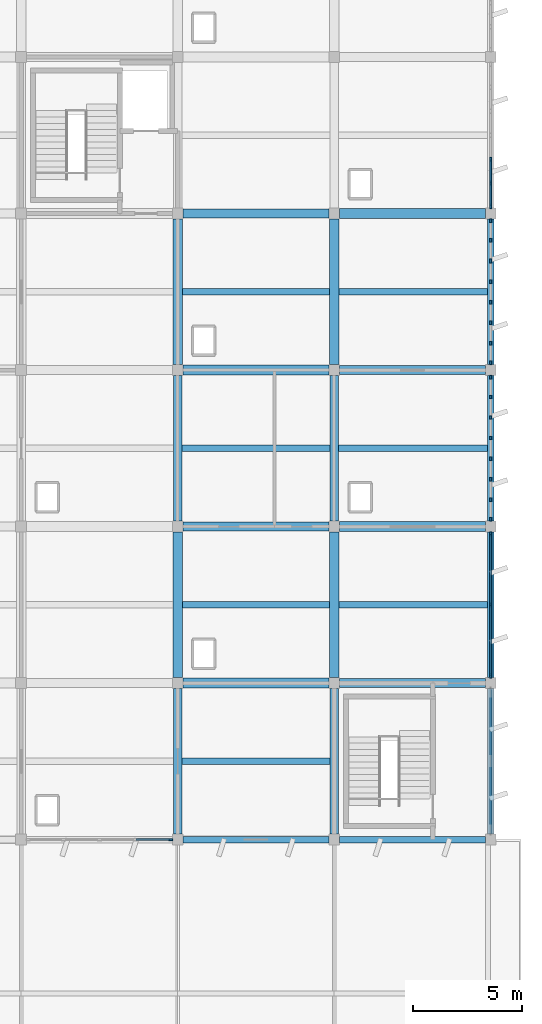
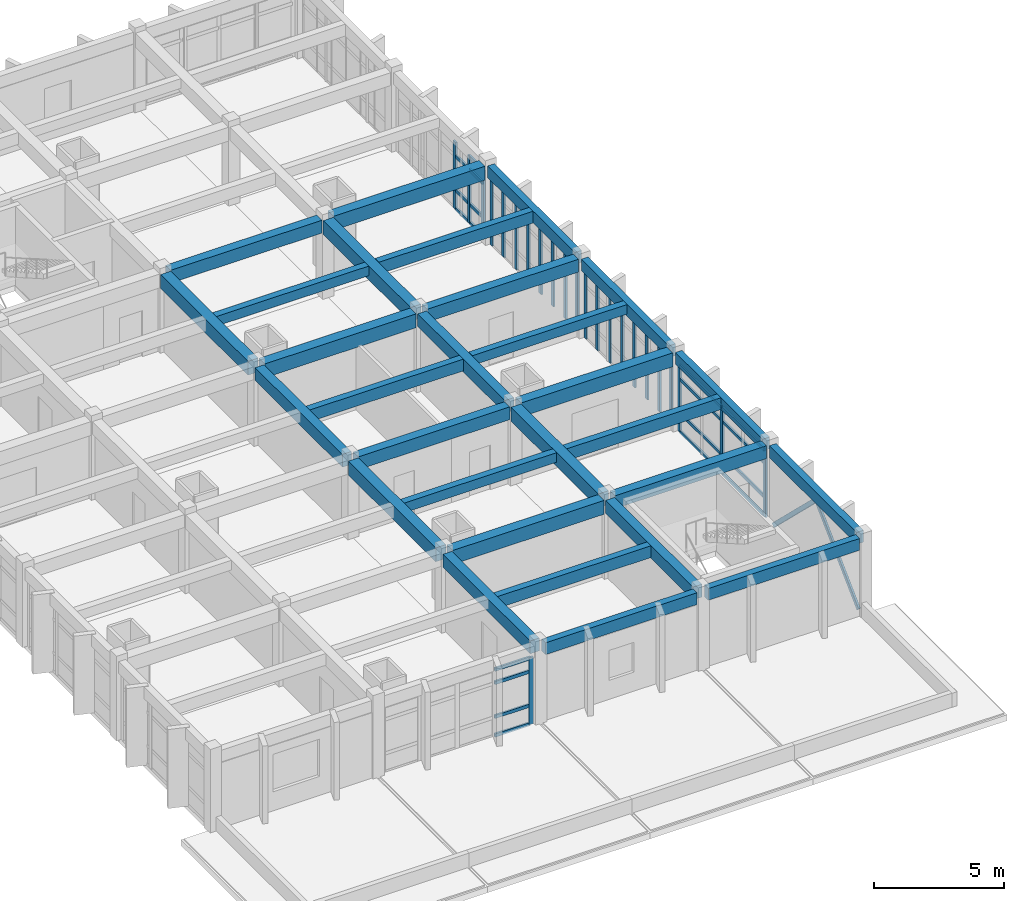
# One storey, part 18 of 40: 44 members, 29 beams, 5 elements without a shape of their own.
"""IFC4 building model written with IfcOpenShell, lengths in metres."""

from ifc_helpers import new_model, si_unit, direction, frame, origin, origin_2d, place, context, subcontext, project, spatial, rectangle, hollow_rectangle, extrude, material, layer, layer_set, material_profile, profile_set, type_object, element, aggregate, save


model = new_model("IFC4")

# Units and contexts
model_context = context("Model", 3, precision=1e-05, world=origin(), true_north=direction((0.0, 1.0)))
body_context = subcontext(model_context, "Body", "Model", "MODEL_VIEW")
ifc_project = project(units=[si_unit("LENGTHUNIT", "METRE"), si_unit("AREAUNIT", "SQUARE_METRE"), si_unit("VOLUMEUNIT", "CUBIC_METRE"), si_unit("PLANEANGLEUNIT", "RADIAN"), si_unit("MASSUNIT", "GRAM", prefix="KILO")], contexts=[model_context])

# Site, building, storey
site_placement = place(None, origin())
site = spatial("IfcSite", under=ifc_project, at=site_placement, CompositionType="ELEMENT")
building_placement = place(site_placement, origin())
building = spatial("IfcBuilding", under=site, at=building_placement, Name="Kavelor Marine Aquarium", CompositionType="ELEMENT")
storey_placement = place(building_placement, frame((0.0, 0.0, 17.639892578125)))
storey = spatial("IfcBuildingStorey", under=building, at=storey_placement, Name="L04", CompositionType="ELEMENT", Elevation=17.639892578125)

# Beams
ifc_material_1 = material(Name="Concrete C40/50", Category="concrete")
ifc_material_profile_1 = material_profile(ifc_material_1, rectangle(XDim=0.449951171875, YDim=0.64990234375, at=origin_2d()), Name="RC-BM 450x650")
ifc_profile_set_1 = profile_set([ifc_material_profile_1], Name="Concrete C40/50")
beam_type_1 = type_object("IfcBeamType", Name="BM-B3", PredefinedType="BEAM", material=ifc_profile_set_1)
for number, where, z_axis, x_axis, name in (
    (1, (133.050048828125, 74.800048828125, 3.355224609375), (1.0, 0.0, 0.0), (0.0, 1.0, 0.0), "bm:x:L04:L05:18_10"),
    (2, (133.050048828125, 89.199951171875, 3.355224609375), (1.0, 0.0, 0.0), (0.0, 1.0, 0.0), "bm:x:L04:L05:18_12"),
    (3, (140.25, 82.0, 3.375), (1.0, 0.0, 0.0), (0.0, 1.0, 0.0), "bm:x:L04:L05:19_11"),
    (4, (140.25, 96.39990234375, 3.375), (1.0, 0.0, 0.0), (0.0, 1.0, 0.0), "bm:x:L04:L05:19_13"),
    (5, (132.800048828125, 75.050048828125, 3.355224609375), (0.0, 1.0, 0.0), (-1.0, 0.0, 0.0), "bm:y:L04:L05:18_10"),
    (6, (132.800048828125, 89.449951171875, 3.355224609375), (0.0, 1.0, 0.0), (-1.0, 0.0, 0.0), "bm:y:L04:L05:18_12"),
    (7, (140.0, 75.050048828125, 3.355224609375), (0.0, 1.0, 0.0), (-1.0, 0.0, 0.0), "bm:y:L04:L05:19_10"),
    (8, (140.0, 89.449951171875, 3.355224609375), (0.0, 1.0, 0.0), (-1.0, 0.0, 0.0), "bm:y:L04:L05:19_12"),
):
    element("IfcBeam", number, at=place(storey_placement, frame(where, z_axis=z_axis, x_axis=x_axis)), inside=storey, type_object=beam_type_1, Name=name, PredefinedType="BEAM", context=body_context, shape_type="SweptSolid", body=[
        extrude(rectangle(XDim=0.449951171875, YDim=0.64990234375, at=origin_2d()), origin(), (0.0, 0.0, 1.0), 6.699951171875),
    ])
ifc_material_2 = material(Name="Concrete C40/50", Category="concrete")
ifc_material_profile_2 = material_profile(ifc_material_2, rectangle(XDim=0.39990234375, YDim=0.60009765625, at=origin_2d()), Name="RC-BM 400x600")
ifc_profile_set_2 = profile_set([ifc_material_profile_2], Name="Concrete C40/50")
beam_type_2 = type_object("IfcBeamType", Name="BM-B4", PredefinedType="BEAM", material=ifc_profile_set_2)
for number, where, z_axis, x_axis, name in (
    (9, (133.050048828125, 82.0, 3.380126953125), (1.0, 0.0, 0.0), (0.0, 1.0, 0.0), "bm:x:L04:L05:18_11"),
    (10, (133.050048828125, 96.39990234375, 3.380126953125), (1.0, 0.0, 0.0), (0.0, 1.0, 0.0), "bm:x:L04:L05:18_13"),
    (11, (140.25, 74.800048828125, 3.400146484375), (1.0, 0.0, 0.0), (0.0, 1.0, 0.0), "bm:x:L04:L05:19_10"),
    (12, (140.25, 89.199951171875, 3.400146484375), (1.0, 0.0, 0.0), (0.0, 1.0, 0.0), "bm:x:L04:L05:19_12"),
    (13, (132.800048828125, 67.85009765625, 3.380126953125), (0.0, 1.0, 0.0), (-1.0, 0.0, 0.0), "bm:y:L04:L05:18_09"),
    (14, (132.800048828125, 82.25, 3.380126953125), (0.0, 1.0, 0.0), (-1.0, 0.0, 0.0), "bm:y:L04:L05:18_11"),
    (15, (140.0, 67.85009765625, 3.380126953125), (0.0, 1.0, 0.0), (-1.0, 0.0, 0.0), "bm:y:L04:L05:19_09"),
    (16, (140.0, 82.25, 3.380126953125), (0.0, 1.0, 0.0), (-1.0, 0.0, 0.0), "bm:y:L04:L05:19_11"),
):
    element("IfcBeam", number, at=place(storey_placement, frame(where, z_axis=z_axis, x_axis=x_axis)), inside=storey, type_object=beam_type_2, Name=name, PredefinedType="BEAM", context=body_context, shape_type="SweptSolid", body=[
        extrude(rectangle(XDim=0.39990234375, YDim=0.60009765625, at=origin_2d()), origin(), (0.0, 0.0, 1.0), 6.699951171875),
    ])
ifc_material_3 = material(Name="Concrete C40/50", Category="concrete")
ifc_material_profile_3 = material_profile(ifc_material_3, rectangle(XDim=0.300048828125, YDim=0.449951171875, at=origin_2d()), Name="RC-JS 300x450")
ifc_profile_set_3 = profile_set([ifc_material_profile_3], Name="Concrete C40/50")
beam_type_3 = type_object("IfcBeamType", Name="BM-JS1", PredefinedType="JOIST", material=ifc_profile_set_3)
for number, where, z_axis, x_axis, name in (
    (17, (133.02490234375, 78.39990234375, 3.455078125), (1.0, 0.0, 0.0), (0.0, 1.0, 0.0), "js:L04:L05:18_10"),
    (18, (133.02490234375, 92.800048828125, 3.455078125), (1.0, 0.0, 0.0), (0.0, 1.0, 0.0), "js:L04:L05:18_12"),
):
    element("IfcBeam", number, at=place(storey_placement, frame(where, z_axis=z_axis, x_axis=x_axis)), inside=storey, type_object=beam_type_3, Name=name, PredefinedType="JOIST", context=body_context, shape_type="SweptSolid", body=[
        extrude(rectangle(XDim=0.300048828125, YDim=0.449951171875, at=origin_2d()), origin(), (0.0, 0.0, 1.0), 6.75),
    ])
beam_placement = place(storey_placement, frame((140.199951171875, 85.60009765625, 3.47509765625), z_axis=(1.0, 0.0, 0.0), x_axis=(0.0, 1.0, 0.0)))
element("IfcBeam", 19, at=beam_placement, inside=storey, type_object=beam_type_3, Name="js:L04:L05:19_11", PredefinedType="JOIST", context=body_context, shape_type="SweptSolid", body=[
    extrude(rectangle(XDim=0.300048828125, YDim=0.449951171875, at=origin_2d()), origin(), (0.0, 0.0, 1.0), 6.85009765625),
])
ifc_material_4 = material(Name="Concrete C40/50", Category="concrete")
ifc_material_profile_4 = material_profile(ifc_material_4, rectangle(XDim=0.300048828125, YDim=0.550048828125, at=origin_2d()), Name="RC-JS 300x550")
ifc_profile_set_4 = profile_set([ifc_material_profile_4], Name="Concrete C40/50")
beam_type_4 = type_object("IfcBeamType", Name="BM-JS2", PredefinedType="JOIST", material=ifc_profile_set_4)
for number, where, z_axis, x_axis, name in (
    (20, (133.0, 71.199951171875, 3.405029296875), (1.0, 0.0, 0.0), (0.0, 1.0, 0.0), "js:L04:L05:18_09"),
    (21, (133.0, 85.60009765625, 3.405029296875), (1.0, 0.0, 0.0), (0.0, 1.0, 0.0), "js:L04:L05:18_11"),
):
    element("IfcBeam", number, at=place(storey_placement, frame(where, z_axis=z_axis, x_axis=x_axis)), inside=storey, type_object=beam_type_4, Name=name, PredefinedType="JOIST", context=body_context, shape_type="SweptSolid", body=[
        extrude(rectangle(XDim=0.300048828125, YDim=0.550048828125, at=origin_2d()), origin(), (0.0, 0.0, 1.0), 6.800048828125),
    ])
for number, where, z_axis, x_axis, name in (
    (22, (140.22509765625, 78.39990234375, 3.425048828125), (1.0, 0.0, 0.0), (0.0, 1.0, 0.0), "js:L04:L05:19_10"),
    (23, (140.22509765625, 92.800048828125, 3.425048828125), (1.0, 0.0, 0.0), (0.0, 1.0, 0.0), "js:L04:L05:19_12"),
):
    element("IfcBeam", number, at=place(storey_placement, frame(where, z_axis=z_axis, x_axis=x_axis)), inside=storey, type_object=beam_type_4, Name=name, PredefinedType="JOIST", context=body_context, shape_type="SweptSolid", body=[
        extrude(rectangle(XDim=0.300048828125, YDim=0.550048828125, at=origin_2d()), origin(), (0.0, 0.0, 1.0), 6.824951171875),
    ])
ifc_material_5 = material(Name="Concrete C40/50", Category="concrete")
ifc_material_profile_5 = material_profile(ifc_material_5, rectangle(XDim=0.300048828125, YDim=0.550048828125, at=origin_2d()), Name="RC-SP 300x550")
ifc_profile_set_5 = profile_set([ifc_material_profile_5], Name="Concrete C40/50")
beam_type_5 = type_object("IfcBeamType", Name="BM-SP2", PredefinedType="SPANDREL", material=ifc_profile_set_5)
for number, where, z_axis, x_axis, name in (
    (24, (133.050048828125, 67.60009765625, 3.405029296875), (1.0, 0.0, 0.0), (0.0, 1.0, 0.0), "bm:x:L04:L05:18_09"),
    (25, (140.25, 67.60009765625, 3.425048828125), (1.0, 0.0, 0.0), (0.0, 1.0, 0.0), "bm:x:L04:L05:19_09"),
    (26, (147.199951171875, 67.85009765625, 3.425048828125), (0.0, 1.0, 0.0), (-1.0, 0.0, 0.0), "bm:y:L04:L05:20_09"),
    (27, (147.199951171875, 75.050048828125, 3.425048828125), (0.0, 1.0, 0.0), (-1.0, 0.0, 0.0), "bm:y:L04:L05:20_10"),
    (28, (147.199951171875, 82.25, 3.425048828125), (0.0, 1.0, 0.0), (-1.0, 0.0, 0.0), "bm:y:L04:L05:20_11"),
    (29, (147.199951171875, 89.449951171875, 3.425048828125), (0.0, 1.0, 0.0), (-1.0, 0.0, 0.0), "bm:y:L04:L05:20_12"),
):
    element("IfcBeam", number, at=place(storey_placement, frame(where, z_axis=z_axis, x_axis=x_axis)), inside=storey, type_object=beam_type_5, Name=name, PredefinedType="SPANDREL", context=body_context, shape_type="SweptSolid", body=[
        extrude(rectangle(XDim=0.300048828125, YDim=0.550048828125, at=origin_2d()), origin(), (0.0, 0.0, 1.0), 6.699951171875),
    ])

# Curtain wall, members
ifc_material_6 = material(Name="Thermally Broken Aluminium and Low-E Glass", Category="aluminium")
ifc_layer_1 = layer(ifc_material_6, 0.14794921875)
ifc_layer_set_1 = layer_set([ifc_layer_1], Name="CW-SYS1")
curtain_wall_type_1 = type_object("IfcCurtainWallType", Name="CW-SYS1", PredefinedType="USERDEFINED", material=ifc_layer_set_1)
curtain_wall_1_placement = place(storey_placement, origin())
curtain_wall_1 = element("IfcCurtainWall", 30, at=curtain_wall_1_placement, inside=storey, type_object=curtain_wall_type_1, Name="cw:y:L04:20_11", ObjectType="Curtain Wall", PredefinedType="USERDEFINED")
ifc_material_7 = material(Name="Anodised Aluminium Alloy 6063-T6", Category="aluminium")
ifc_material_profile_6 = material_profile(ifc_material_7, rectangle(XDim=0.074951171875, YDim=0.179931640625, at=origin_2d()), Name="CW-MUL 75x180")
ifc_profile_set_6 = profile_set([ifc_material_profile_6], Name="Anodised Aluminium Alloy 6063-T6")
member_type_1 = type_object("IfcMemberType", Name="CWM-1", PredefinedType="MULLION", material=ifc_profile_set_6)
member_1_placement = place(storey_placement, frame((147.199951171875, 82.33251953125, 0.0), z_axis=(0.0, 0.0, 1.0), x_axis=(-1.0, 0.0, 0.0)))
member_1 = element("IfcMember", 31, at=member_1_placement, type_object=member_type_1, Name="CW01 mullion 1", PredefinedType="MULLION", context=body_context, shape_type="SweptSolid", body=[
    extrude(rectangle(XDim=0.074951171875, YDim=0.179931640625, at=origin_2d()), origin(), (0.0, 0.0, 1.0), 3.14013671875),
])
member_2_placement = place(storey_placement, frame((147.199951171875, 83.2392578125, 0.0), z_axis=(0.0, 0.0, 1.0), x_axis=(-1.0, 0.0, 0.0)))
member_2 = element("IfcMember", 32, at=member_2_placement, type_object=member_type_1, Name="CW01 mullion 2", PredefinedType="MULLION", context=body_context, shape_type="SweptSolid", body=[
    extrude(rectangle(XDim=0.074951171875, YDim=0.179931640625, at=origin_2d()), origin(), (0.0, 0.0, 1.0), 3.14013671875),
])
member_3_placement = place(storey_placement, frame((147.199951171875, 84.18359375, 0.0), z_axis=(0.0, 0.0, 1.0), x_axis=(-1.0, 0.0, 0.0)))
member_3 = element("IfcMember", 33, at=member_3_placement, type_object=member_type_1, Name="CW01 mullion 3", PredefinedType="MULLION", context=body_context, shape_type="SweptSolid", body=[
    extrude(rectangle(XDim=0.074951171875, YDim=0.179931640625, at=origin_2d()), origin(), (0.0, 0.0, 1.0), 3.14013671875),
])
member_4_placement = place(storey_placement, frame((147.199951171875, 85.1279296875, 0.0), z_axis=(0.0, 0.0, 1.0), x_axis=(-1.0, 0.0, 0.0)))
member_4 = element("IfcMember", 34, at=member_4_placement, type_object=member_type_1, Name="CW01 mullion 4", PredefinedType="MULLION", context=body_context, shape_type="SweptSolid", body=[
    extrude(rectangle(XDim=0.074951171875, YDim=0.179931640625, at=origin_2d()), origin(), (0.0, 0.0, 1.0), 3.14013671875),
])
member_5_placement = place(storey_placement, frame((147.199951171875, 86.072021484375, 0.0), z_axis=(0.0, 0.0, 1.0), x_axis=(-1.0, 0.0, 0.0)))
member_5 = element("IfcMember", 35, at=member_5_placement, type_object=member_type_1, Name="CW01 mullion 5", PredefinedType="MULLION", context=body_context, shape_type="SweptSolid", body=[
    extrude(rectangle(XDim=0.074951171875, YDim=0.179931640625, at=origin_2d()), origin(), (0.0, 0.0, 1.0), 3.14013671875),
])
member_6_placement = place(storey_placement, frame((147.199951171875, 87.016357421875, 0.0), z_axis=(0.0, 0.0, 1.0), x_axis=(-1.0, 0.0, 0.0)))
member_6 = element("IfcMember", 36, at=member_6_placement, type_object=member_type_1, Name="CW01 mullion 6", PredefinedType="MULLION", context=body_context, shape_type="SweptSolid", body=[
    extrude(rectangle(XDim=0.074951171875, YDim=0.179931640625, at=origin_2d()), origin(), (0.0, 0.0, 1.0), 3.14013671875),
])
member_7_placement = place(storey_placement, frame((147.199951171875, 87.960693359375, 0.0), z_axis=(0.0, 0.0, 1.0), x_axis=(-1.0, 0.0, 0.0)))
member_7 = element("IfcMember", 37, at=member_7_placement, type_object=member_type_1, Name="CW01 mullion 7", PredefinedType="MULLION", context=body_context, shape_type="SweptSolid", body=[
    extrude(rectangle(XDim=0.074951171875, YDim=0.179931640625, at=origin_2d()), origin(), (0.0, 0.0, 1.0), 3.14013671875),
])
member_8_placement = place(storey_placement, frame((147.199951171875, 88.867431640625, 0.0), z_axis=(0.0, 0.0, 1.0), x_axis=(-1.0, 0.0, 0.0)))
member_8 = element("IfcMember", 38, at=member_8_placement, type_object=member_type_1, Name="CW01 mullion 8", PredefinedType="MULLION", context=body_context, shape_type="SweptSolid", body=[
    extrude(rectangle(XDim=0.074951171875, YDim=0.179931640625, at=origin_2d()), origin(), (0.0, 0.0, 1.0), 3.14013671875),
])
aggregate(curtain_wall_1, [member_1, member_2, member_3, member_4, member_5, member_6, member_7, member_8])

ifc_material_8 = material(Name="Thermally Broken Aluminium and Low-E Glass", Category="aluminium")
ifc_layer_2 = layer(ifc_material_8, 0.156005859375)
ifc_layer_set_2 = layer_set([ifc_layer_2], Name="CW-SYS2")
curtain_wall_type_2 = type_object("IfcCurtainWallType", Name="CW-SYS2", PredefinedType="USERDEFINED", material=ifc_layer_set_2)
curtain_wall_2_placement = place(storey_placement, origin())
curtain_wall_2 = element("IfcCurtainWall", 39, at=curtain_wall_2_placement, inside=storey, type_object=curtain_wall_type_2, Name="cw:y:L04:20_12", ObjectType="Curtain Wall", PredefinedType="USERDEFINED")
ifc_material_9 = material(Name="Anodised Aluminium Alloy 6063-T6", Category="aluminium")
ifc_material_profile_7 = material_profile(ifc_material_9, rectangle(XDim=0.080078125, YDim=0.18505859375, at=origin_2d()), Name="CW-MUL 80x185")
ifc_profile_set_7 = profile_set([ifc_material_profile_7], Name="Anodised Aluminium Alloy 6063-T6")
member_type_2 = type_object("IfcMemberType", Name="CWM-2", PredefinedType="MULLION", material=ifc_profile_set_7)
member_9_placement = place(storey_placement, frame((147.199951171875, 89.527587890625, 0.0), z_axis=(0.0, 0.0, 1.0), x_axis=(-1.0, 0.0, 0.0)))
member_9 = element("IfcMember", 40, at=member_9_placement, type_object=member_type_2, Name="CW02 mullion 1", PredefinedType="MULLION", context=body_context, shape_type="SweptSolid", body=[
    extrude(rectangle(XDim=0.080078125, YDim=0.18505859375, at=origin_2d()), origin(), (0.0, 0.0, 1.0), 3.14013671875),
])
member_10_placement = place(storey_placement, frame((147.199951171875, 90.439208984375, 0.0), z_axis=(0.0, 0.0, 1.0), x_axis=(-1.0, 0.0, 0.0)))
member_10 = element("IfcMember", 41, at=member_10_placement, type_object=member_type_2, Name="CW02 mullion 2", PredefinedType="MULLION", context=body_context, shape_type="SweptSolid", body=[
    extrude(rectangle(XDim=0.080078125, YDim=0.18505859375, at=origin_2d()), origin(), (0.0, 0.0, 1.0), 3.14013671875),
])
member_11_placement = place(storey_placement, frame((147.199951171875, 91.383544921875, 0.0), z_axis=(0.0, 0.0, 1.0), x_axis=(-1.0, 0.0, 0.0)))
member_11 = element("IfcMember", 42, at=member_11_placement, type_object=member_type_2, Name="CW02 mullion 3", PredefinedType="MULLION", context=body_context, shape_type="SweptSolid", body=[
    extrude(rectangle(XDim=0.080078125, YDim=0.18505859375, at=origin_2d()), origin(), (0.0, 0.0, 1.0), 3.14013671875),
])
member_12_placement = place(storey_placement, frame((147.199951171875, 92.327880859375, 0.0), z_axis=(0.0, 0.0, 1.0), x_axis=(-1.0, 0.0, 0.0)))
member_12 = element("IfcMember", 43, at=member_12_placement, type_object=member_type_2, Name="CW02 mullion 4", PredefinedType="MULLION", context=body_context, shape_type="SweptSolid", body=[
    extrude(rectangle(XDim=0.080078125, YDim=0.18505859375, at=origin_2d()), origin(), (0.0, 0.0, 1.0), 3.14013671875),
])
member_13_placement = place(storey_placement, frame((147.199951171875, 93.272216796875, 0.0), z_axis=(0.0, 0.0, 1.0), x_axis=(-1.0, 0.0, 0.0)))
member_13 = element("IfcMember", 44, at=member_13_placement, type_object=member_type_2, Name="CW02 mullion 5", PredefinedType="MULLION", context=body_context, shape_type="SweptSolid", body=[
    extrude(rectangle(XDim=0.080078125, YDim=0.18505859375, at=origin_2d()), origin(), (0.0, 0.0, 1.0), 3.14013671875),
])
member_14_placement = place(storey_placement, frame((147.199951171875, 94.21630859375, 0.0), z_axis=(0.0, 0.0, 1.0), x_axis=(-1.0, 0.0, 0.0)))
member_14 = element("IfcMember", 45, at=member_14_placement, type_object=member_type_2, Name="CW02 mullion 6", PredefinedType="MULLION", context=body_context, shape_type="SweptSolid", body=[
    extrude(rectangle(XDim=0.080078125, YDim=0.18505859375, at=origin_2d()), origin(), (0.0, 0.0, 1.0), 3.14013671875),
])
member_15_placement = place(storey_placement, frame((147.199951171875, 95.16064453125, 0.0), z_axis=(0.0, 0.0, 1.0), x_axis=(-1.0, 0.0, 0.0)))
member_15 = element("IfcMember", 46, at=member_15_placement, type_object=member_type_2, Name="CW02 mullion 7", PredefinedType="MULLION", context=body_context, shape_type="SweptSolid", body=[
    extrude(rectangle(XDim=0.080078125, YDim=0.18505859375, at=origin_2d()), origin(), (0.0, 0.0, 1.0), 3.14013671875),
])
member_16_placement = place(storey_placement, frame((147.199951171875, 96.072509765625, 0.0), z_axis=(0.0, 0.0, 1.0), x_axis=(-1.0, 0.0, 0.0)))
member_16 = element("IfcMember", 47, at=member_16_placement, type_object=member_type_2, Name="CW02 mullion 8", PredefinedType="MULLION", context=body_context, shape_type="SweptSolid", body=[
    extrude(rectangle(XDim=0.080078125, YDim=0.18505859375, at=origin_2d()), origin(), (0.0, 0.0, 1.0), 3.14013671875),
])
aggregate(curtain_wall_2, [member_9, member_10, member_11, member_12, member_13, member_14, member_15, member_16])

# Curtain wall, member
ifc_material_10 = material(Name="Thermally Broken Aluminium and Low-E Glass", Category="aluminium")
ifc_layer_3 = layer(ifc_material_10, 0.260009765625)
ifc_layer_set_3 = layer_set([ifc_layer_3], Name="CW-SYS15")
curtain_wall_type_3 = type_object("IfcCurtainWallType", Name="CW-SYS15", PredefinedType="USERDEFINED", material=ifc_layer_set_3)
curtain_wall_3_placement = place(storey_placement, origin())
curtain_wall_3 = element("IfcCurtainWall", 48, at=curtain_wall_3_placement, inside=storey, type_object=curtain_wall_type_3, Name="cw:x:L04:17_09", ObjectType="Curtain Wall", PredefinedType="USERDEFINED")
ifc_material_11 = material(Name="Anodised Aluminium Alloy 6063-T6", Category="aluminium")
ifc_material_profile_8 = material_profile(ifc_material_11, rectangle(XDim=0.0849609375, YDim=0.18994140625, at=origin_2d()), Name="CW-MUL 85x190")
ifc_profile_set_8 = profile_set([ifc_material_profile_8], Name="Anodised Aluminium Alloy 6063-T6")
member_type_3 = type_object("IfcMemberType", Name="CWM-3", PredefinedType="MULLION", material=ifc_profile_set_8)
member_17_placement = place(storey_placement, frame((132.47509765625, 67.60009765625, 0.0), z_axis=(0.0, 0.0, 1.0), x_axis=(0.0, -1.0, 0.0)))
member_17 = element("IfcMember", 49, at=member_17_placement, type_object=member_type_3, Name="CW15 mullion 1", PredefinedType="MULLION", context=body_context, shape_type="SweptSolid", body=[
    extrude(rectangle(XDim=0.0849609375, YDim=0.18994140625, at=origin_2d()), origin(), (0.0, 0.0, 1.0), 3.14013671875),
])

# Curtain wall, members
ifc_material_12 = material(Name="Thermally Broken Aluminium and Low-E Glass", Category="aluminium")
ifc_layer_4 = layer(ifc_material_12, 0.33203125)
ifc_layer_set_4 = layer_set([ifc_layer_4], Name="CW-SYS24")
curtain_wall_type_4 = type_object("IfcCurtainWallType", Name="CW-SYS24", PredefinedType="USERDEFINED", material=ifc_layer_set_4)
curtain_wall_4_placement = place(storey_placement, origin())
curtain_wall_4 = element("IfcCurtainWall", 50, at=curtain_wall_4_placement, inside=storey, type_object=curtain_wall_type_4, Name="cw:y:L04:20_10", ObjectType="Curtain Wall", PredefinedType="USERDEFINED")
member_18_placement = place(storey_placement, frame((147.199951171875, 75.125, 0.0), z_axis=(0.0, 0.0, 1.0), x_axis=(-1.0, 0.0, 0.0)))
member_18 = element("IfcMember", 51, at=member_18_placement, type_object=member_type_3, Name="CW24 mullion 1", PredefinedType="MULLION", context=body_context, shape_type="SweptSolid", body=[
    extrude(rectangle(XDim=0.0849609375, YDim=0.18994140625, at=origin_2d()), origin(), (0.0, 0.0, 1.0), 3.14013671875),
])
member_19_placement = place(storey_placement, frame((147.199951171875, 78.39990234375, 0.0), z_axis=(0.0, 0.0, 1.0), x_axis=(-1.0, 0.0, 0.0)))
member_19 = element("IfcMember", 52, at=member_19_placement, type_object=member_type_3, Name="CW24 mullion 2", PredefinedType="MULLION", context=body_context, shape_type="SweptSolid", body=[
    extrude(rectangle(XDim=0.0849609375, YDim=0.18994140625, at=origin_2d()), origin(), (0.0, 0.0, 1.0), 3.14013671875),
])
member_20_placement = place(storey_placement, frame((147.199951171875, 81.675048828125, 0.0), z_axis=(0.0, 0.0, 1.0), x_axis=(-1.0, 0.0, 0.0)))
member_20 = element("IfcMember", 53, at=member_20_placement, type_object=member_type_3, Name="CW24 mullion 3", PredefinedType="MULLION", context=body_context, shape_type="SweptSolid", body=[
    extrude(rectangle(XDim=0.0849609375, YDim=0.18994140625, at=origin_2d()), origin(), (0.0, 0.0, 1.0), 3.14013671875),
])

ifc_material_13 = material(Name="Thermally Broken Aluminium and Low-E Glass", Category="aluminium")
ifc_layer_5 = layer(ifc_material_13, 0.1640625)
ifc_layer_set_5 = layer_set([ifc_layer_5], Name="CW-SYS3")
curtain_wall_type_5 = type_object("IfcCurtainWallType", Name="CW-SYS3", PredefinedType="USERDEFINED", material=ifc_layer_set_5)
curtain_wall_5_placement = place(storey_placement, origin())
curtain_wall_5 = element("IfcCurtainWall", 54, at=curtain_wall_5_placement, inside=storey, type_object=curtain_wall_type_5, Name="cw:y:L04:20_13", ObjectType="Curtain Wall", PredefinedType="USERDEFINED")
member_21_placement = place(storey_placement, frame((147.199951171875, 96.72509765625, 0.0), z_axis=(0.0, 0.0, 1.0), x_axis=(-1.0, 0.0, 0.0)))
member_21 = element("IfcMember", 55, at=member_21_placement, type_object=member_type_3, Name="CW03 mullion 1", PredefinedType="MULLION", context=body_context, shape_type="SweptSolid", body=[
    extrude(rectangle(XDim=0.0849609375, YDim=0.18994140625, at=origin_2d()), origin(), (0.0, 0.0, 1.0), 3.14013671875),
])
member_22_placement = place(storey_placement, frame((147.199951171875, 97.796630859375, 0.0), z_axis=(0.0, 0.0, 1.0), x_axis=(-1.0, 0.0, 0.0)))
member_22 = element("IfcMember", 56, at=member_22_placement, type_object=member_type_3, Name="CW03 mullion 2", PredefinedType="MULLION", context=body_context, shape_type="SweptSolid", body=[
    extrude(rectangle(XDim=0.0849609375, YDim=0.18994140625, at=origin_2d()), origin(), (0.0, 0.0, 1.0), 3.14013671875),
])
member_23_placement = place(storey_placement, frame((147.199951171875, 98.8984375, 0.0), z_axis=(0.0, 0.0, 1.0), x_axis=(-1.0, 0.0, 0.0)))
member_23 = element("IfcMember", 57, at=member_23_placement, type_object=member_type_3, Name="CW03 mullion 3", PredefinedType="MULLION", context=body_context, shape_type="SweptSolid", body=[
    extrude(rectangle(XDim=0.0849609375, YDim=0.18994140625, at=origin_2d()), origin(), (0.0, 0.0, 1.0), 3.14013671875),
])

# Member
ifc_material_14 = material(Name="Anodised Aluminium Alloy 6063-T6", Category="aluminium")
ifc_material_profile_9 = material_profile(ifc_material_14, rectangle(XDim=0.074951171875, YDim=0.14990234375, at=origin_2d()), Name="CW-TRN 75x150")
ifc_profile_set_9 = profile_set([ifc_material_profile_9], Name="Anodised Aluminium Alloy 6063-T6")
member_type_4 = type_object("IfcMemberType", Name="CWT-1", PredefinedType="USERDEFINED", material=ifc_profile_set_9)
member_24_placement = place(storey_placement, frame((147.199951171875, 75.155029296875, 0.03759765625), z_axis=(0.0, 1.0, 0.0), x_axis=(-1.0, 0.0, 0.0)))
member_24 = element("IfcMember", 58, at=member_24_placement, type_object=member_type_4, Name="CW24 transom 1.1", ObjectType="TRANSOM", PredefinedType="USERDEFINED", context=body_context, shape_type="SweptSolid", body=[
    extrude(rectangle(XDim=0.074951171875, YDim=0.14990234375, at=origin_2d()), origin(), (0.0, 0.0, 1.0), 3.215087890625),
])

member_25_placement = place(storey_placement, frame((147.199951171875, 75.155029296875, 0.900146484375), z_axis=(0.0, 1.0, 0.0), x_axis=(-1.0, 0.0, 0.0)))
member_25 = element("IfcMember", 59, at=member_25_placement, type_object=member_type_4, Name="CW24 transom 1.2", ObjectType="TRANSOM", PredefinedType="USERDEFINED", context=body_context, shape_type="SweptSolid", body=[
    extrude(rectangle(XDim=0.074951171875, YDim=0.14990234375, at=origin_2d()), origin(), (0.0, 0.0, 1.0), 3.215087890625),
])

member_26_placement = place(storey_placement, frame((147.199951171875, 75.155029296875, 2.489990234375), z_axis=(0.0, 1.0, 0.0), x_axis=(-1.0, 0.0, 0.0)))
member_26 = element("IfcMember", 60, at=member_26_placement, type_object=member_type_4, Name="CW24 transom 1.3", ObjectType="TRANSOM", PredefinedType="USERDEFINED", context=body_context, shape_type="SweptSolid", body=[
    extrude(rectangle(XDim=0.074951171875, YDim=0.14990234375, at=origin_2d()), origin(), (0.0, 0.0, 1.0), 3.215087890625),
])

member_27_placement = place(storey_placement, frame((147.199951171875, 75.155029296875, 3.1025390625), z_axis=(0.0, 1.0, 0.0), x_axis=(-1.0, 0.0, 0.0)))
member_27 = element("IfcMember", 61, at=member_27_placement, type_object=member_type_4, Name="CW24 transom 1.4", ObjectType="TRANSOM", PredefinedType="USERDEFINED", context=body_context, shape_type="SweptSolid", body=[
    extrude(rectangle(XDim=0.074951171875, YDim=0.14990234375, at=origin_2d()), origin(), (0.0, 0.0, 1.0), 3.215087890625),
])

member_28_placement = place(storey_placement, frame((147.199951171875, 78.429931640625, 0.03759765625), z_axis=(0.0, 1.0, 0.0), x_axis=(-1.0, 0.0, 0.0)))
member_28 = element("IfcMember", 62, at=member_28_placement, type_object=member_type_4, Name="CW24 transom 2.1", ObjectType="TRANSOM", PredefinedType="USERDEFINED", context=body_context, shape_type="SweptSolid", body=[
    extrude(rectangle(XDim=0.074951171875, YDim=0.14990234375, at=origin_2d()), origin(), (0.0, 0.0, 1.0), 3.215087890625),
])

member_29_placement = place(storey_placement, frame((147.199951171875, 78.429931640625, 0.900146484375), z_axis=(0.0, 1.0, 0.0), x_axis=(-1.0, 0.0, 0.0)))
member_29 = element("IfcMember", 63, at=member_29_placement, type_object=member_type_4, Name="CW24 transom 2.2", ObjectType="TRANSOM", PredefinedType="USERDEFINED", context=body_context, shape_type="SweptSolid", body=[
    extrude(rectangle(XDim=0.074951171875, YDim=0.14990234375, at=origin_2d()), origin(), (0.0, 0.0, 1.0), 3.215087890625),
])

member_30_placement = place(storey_placement, frame((147.199951171875, 78.429931640625, 2.489990234375), z_axis=(0.0, 1.0, 0.0), x_axis=(-1.0, 0.0, 0.0)))
member_30 = element("IfcMember", 64, at=member_30_placement, type_object=member_type_4, Name="CW24 transom 2.3", ObjectType="TRANSOM", PredefinedType="USERDEFINED", context=body_context, shape_type="SweptSolid", body=[
    extrude(rectangle(XDim=0.074951171875, YDim=0.14990234375, at=origin_2d()), origin(), (0.0, 0.0, 1.0), 3.215087890625),
])

member_31_placement = place(storey_placement, frame((147.199951171875, 78.429931640625, 3.1025390625), z_axis=(0.0, 1.0, 0.0), x_axis=(-1.0, 0.0, 0.0)))
member_31 = element("IfcMember", 65, at=member_31_placement, type_object=member_type_4, Name="CW24 transom 2.4", ObjectType="TRANSOM", PredefinedType="USERDEFINED", context=body_context, shape_type="SweptSolid", body=[
    extrude(rectangle(XDim=0.074951171875, YDim=0.14990234375, at=origin_2d()), origin(), (0.0, 0.0, 1.0), 3.215087890625),
])

aggregate(curtain_wall_4, [member_18, member_19, member_20, member_24, member_25, member_26, member_27, member_28, member_29, member_30, member_31])

ifc_material_15 = material(Name="Anodised Aluminium Alloy 6063-T6", Category="aluminium")
ifc_material_profile_10 = material_profile(ifc_material_15, rectangle(XDim=0.080078125, YDim=0.155029296875, at=origin_2d()), Name="CW-TRN 80x155")
ifc_profile_set_10 = profile_set([ifc_material_profile_10], Name="Anodised Aluminium Alloy 6063-T6")
member_type_5 = type_object("IfcMemberType", Name="CWT-2", PredefinedType="USERDEFINED", material=ifc_profile_set_10)
member_32_placement = place(storey_placement, frame((132.445068359375, 67.60009765625, 0.03271484375), z_axis=(-1.0, 0.0, 0.0), x_axis=(0.0, -1.0, 0.0)))
member_32 = element("IfcMember", 66, at=member_32_placement, type_object=member_type_5, Name="CW15 transom 1.1", ObjectType="TRANSOM", PredefinedType="USERDEFINED", context=body_context, shape_type="SweptSolid", body=[
    extrude(rectangle(XDim=0.080078125, YDim=0.155029296875, at=origin_2d()), origin(), (0.0, 0.0, 1.0), 1.5625),
])

member_33_placement = place(storey_placement, frame((132.445068359375, 67.60009765625, 0.900146484375), z_axis=(-1.0, 0.0, 0.0), x_axis=(0.0, -1.0, 0.0)))
member_33 = element("IfcMember", 67, at=member_33_placement, type_object=member_type_5, Name="CW15 transom 1.2", ObjectType="TRANSOM", PredefinedType="USERDEFINED", context=body_context, shape_type="SweptSolid", body=[
    extrude(rectangle(XDim=0.080078125, YDim=0.155029296875, at=origin_2d()), origin(), (0.0, 0.0, 1.0), 1.5625),
])

member_34_placement = place(storey_placement, frame((132.445068359375, 67.60009765625, 2.489990234375), z_axis=(-1.0, 0.0, 0.0), x_axis=(0.0, -1.0, 0.0)))
member_34 = element("IfcMember", 68, at=member_34_placement, type_object=member_type_5, Name="CW15 transom 1.3", ObjectType="TRANSOM", PredefinedType="USERDEFINED", context=body_context, shape_type="SweptSolid", body=[
    extrude(rectangle(XDim=0.080078125, YDim=0.155029296875, at=origin_2d()), origin(), (0.0, 0.0, 1.0), 1.5625),
])

member_35_placement = place(storey_placement, frame((132.445068359375, 67.60009765625, 3.107666015625), z_axis=(-1.0, 0.0, 0.0), x_axis=(0.0, -1.0, 0.0)))
member_35 = element("IfcMember", 69, at=member_35_placement, type_object=member_type_5, Name="CW15 transom 1.4", ObjectType="TRANSOM", PredefinedType="USERDEFINED", context=body_context, shape_type="SweptSolid", body=[
    extrude(rectangle(XDim=0.080078125, YDim=0.155029296875, at=origin_2d()), origin(), (0.0, 0.0, 1.0), 1.5625),
])

aggregate(curtain_wall_3, [member_17, member_32, member_33, member_34, member_35])

member_36_placement = place(storey_placement, frame((147.199951171875, 96.7548828125, 0.03271484375), z_axis=(0.0, 1.0, 0.0), x_axis=(-1.0, 0.0, 0.0)))
member_36 = element("IfcMember", 70, at=member_36_placement, type_object=member_type_5, Name="CW03 transom 1.1", ObjectType="TRANSOM", PredefinedType="USERDEFINED", context=body_context, shape_type="SweptSolid", body=[
    extrude(rectangle(XDim=0.080078125, YDim=0.155029296875, at=origin_2d()), origin(), (0.0, 0.0, 1.0), 1.01171875),
])

member_37_placement = place(storey_placement, frame((147.199951171875, 96.7548828125, 0.900146484375), z_axis=(0.0, 1.0, 0.0), x_axis=(-1.0, 0.0, 0.0)))
member_37 = element("IfcMember", 71, at=member_37_placement, type_object=member_type_5, Name="CW03 transom 1.2", ObjectType="TRANSOM", PredefinedType="USERDEFINED", context=body_context, shape_type="SweptSolid", body=[
    extrude(rectangle(XDim=0.080078125, YDim=0.155029296875, at=origin_2d()), origin(), (0.0, 0.0, 1.0), 1.01171875),
])

member_38_placement = place(storey_placement, frame((147.199951171875, 96.7548828125, 2.489990234375), z_axis=(0.0, 1.0, 0.0), x_axis=(-1.0, 0.0, 0.0)))
member_38 = element("IfcMember", 72, at=member_38_placement, type_object=member_type_5, Name="CW03 transom 1.3", ObjectType="TRANSOM", PredefinedType="USERDEFINED", context=body_context, shape_type="SweptSolid", body=[
    extrude(rectangle(XDim=0.080078125, YDim=0.155029296875, at=origin_2d()), origin(), (0.0, 0.0, 1.0), 1.01171875),
])

member_39_placement = place(storey_placement, frame((147.199951171875, 96.7548828125, 3.107666015625), z_axis=(0.0, 1.0, 0.0), x_axis=(-1.0, 0.0, 0.0)))
member_39 = element("IfcMember", 73, at=member_39_placement, type_object=member_type_5, Name="CW03 transom 1.4", ObjectType="TRANSOM", PredefinedType="USERDEFINED", context=body_context, shape_type="SweptSolid", body=[
    extrude(rectangle(XDim=0.080078125, YDim=0.155029296875, at=origin_2d()), origin(), (0.0, 0.0, 1.0), 1.01171875),
])

member_40_placement = place(storey_placement, frame((147.199951171875, 97.82666015625, 0.03271484375), z_axis=(0.0, 1.0, 0.0), x_axis=(-1.0, 0.0, 0.0)))
member_40 = element("IfcMember", 74, at=member_40_placement, type_object=member_type_5, Name="CW03 transom 2.1", ObjectType="TRANSOM", PredefinedType="USERDEFINED", context=body_context, shape_type="SweptSolid", body=[
    extrude(rectangle(XDim=0.080078125, YDim=0.155029296875, at=origin_2d()), origin(), (0.0, 0.0, 1.0), 1.041748046875),
])

member_41_placement = place(storey_placement, frame((147.199951171875, 97.82666015625, 0.900146484375), z_axis=(0.0, 1.0, 0.0), x_axis=(-1.0, 0.0, 0.0)))
member_41 = element("IfcMember", 75, at=member_41_placement, type_object=member_type_5, Name="CW03 transom 2.2", ObjectType="TRANSOM", PredefinedType="USERDEFINED", context=body_context, shape_type="SweptSolid", body=[
    extrude(rectangle(XDim=0.080078125, YDim=0.155029296875, at=origin_2d()), origin(), (0.0, 0.0, 1.0), 1.041748046875),
])

member_42_placement = place(storey_placement, frame((147.199951171875, 97.82666015625, 2.489990234375), z_axis=(0.0, 1.0, 0.0), x_axis=(-1.0, 0.0, 0.0)))
member_42 = element("IfcMember", 76, at=member_42_placement, type_object=member_type_5, Name="CW03 transom 2.3", ObjectType="TRANSOM", PredefinedType="USERDEFINED", context=body_context, shape_type="SweptSolid", body=[
    extrude(rectangle(XDim=0.080078125, YDim=0.155029296875, at=origin_2d()), origin(), (0.0, 0.0, 1.0), 1.041748046875),
])

aggregate(curtain_wall_5, [member_21, member_22, member_23, member_36, member_37, member_38, member_39, member_40, member_41, member_42])

# Members
ifc_material_16 = material(Name="Steel S355", Category="steel")
ifc_material_profile_11 = material_profile(ifc_material_16, hollow_rectangle(XDim=0.10009765625, YDim=0.199951171875, WallThickness=0.00634765625, InnerFilletRadius=0.009521484375, OuterFilletRadius=0.015869140625, at=origin_2d()), Name="RHS 200x100x6.3")
ifc_profile_set_11 = profile_set([ifc_material_profile_11], Name="Steel S355")
member_type_6 = type_object("IfcMemberType", Name="ST-BR8", PredefinedType="BRACE", material=ifc_profile_set_11)
for number, where, z_axis, x_axis, name in (
    (77, (147.199951171875, 67.949951171875, 0.0), (0.0, 0.718051500902, 0.695989972667), (-1.0, 0.0, 0.0), "sbr:a:7"),
    (78, (147.199951171875, 74.449951171875, 0.0), (0.0, -0.718051500902, 0.695989972667), (1.0, 0.0, 0.0), "sbr:b:7"),
):
    element("IfcMember", number, at=place(storey_placement, frame(where, z_axis=z_axis, x_axis=x_axis)), inside=storey, type_object=member_type_6, Name=name, PredefinedType="BRACE", context=body_context, shape_type="SweptSolid", body=[
        extrude(hollow_rectangle(XDim=0.10009765625, YDim=0.199951171875, WallThickness=0.00634765625, InnerFilletRadius=0.009521484375, OuterFilletRadius=0.015869140625, at=origin_2d()), origin(), (0.0, 0.0, 1.0), 4.526123046875),
    ])

save(model, "model.ifc")
